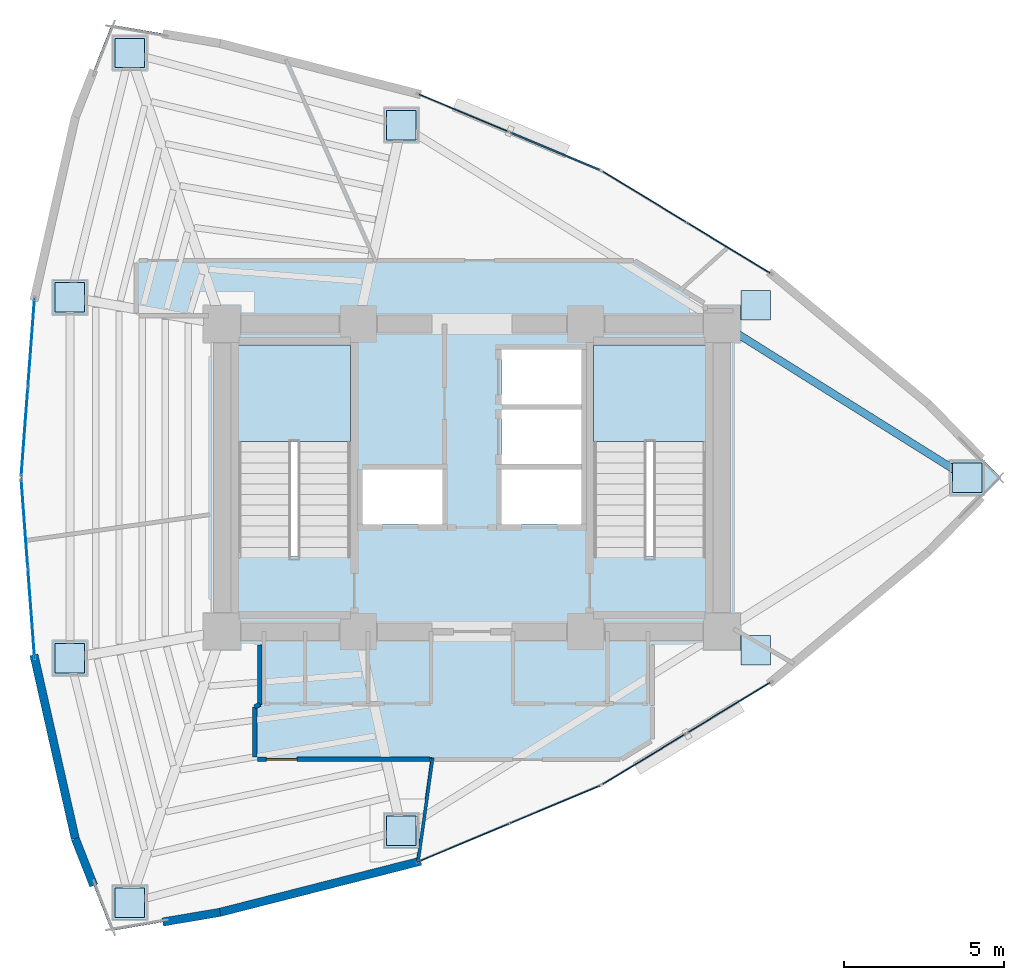
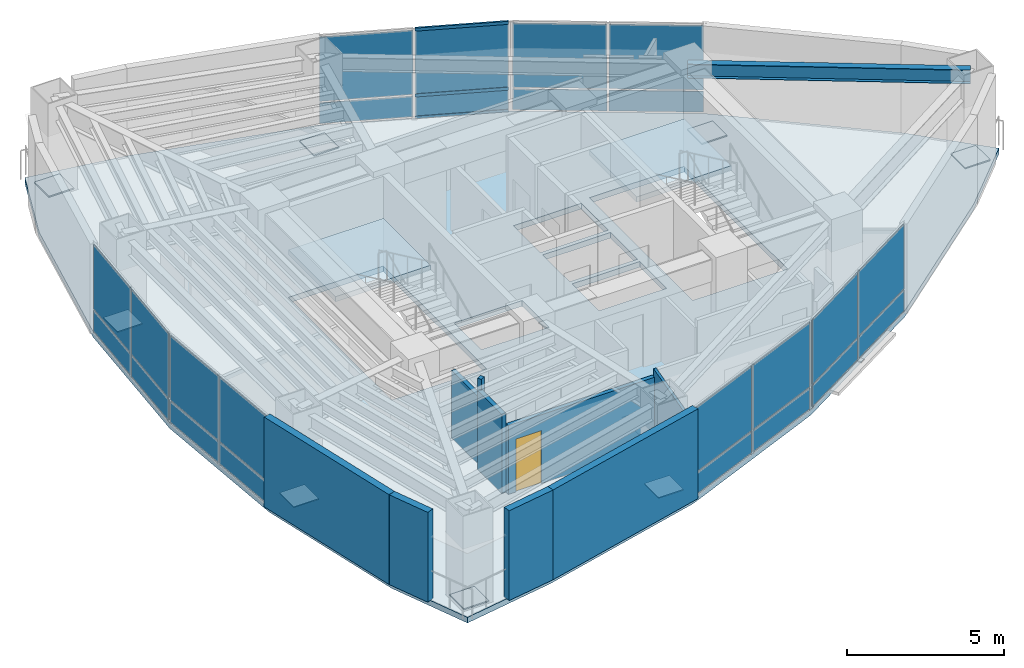
# One storey, part 10 of 15: 33 plates, 9 walls, 3 members, 3 slabs, 1 beam, 1 door, 1 opening, 8 elements without a shape of their own.
"""IFC4 building model written with IfcOpenShell, lengths in metres."""

from ifc_helpers import new_model, si_unit, direction, frame, frame_2d, origin, origin_2d, place, context, subcontext, project, spatial, polyline, rectangle, hollow_rectangle, i_section, outline, extrude, material, layer, layer_set, material_profile, profile_set, type_object, element, fill, aggregate, save


model = new_model("IFC4")

# Units and contexts
model_context = context("Model", 3, precision=1e-05, world=origin(), true_north=direction((0.0, 1.0)))
body_context = subcontext(model_context, "Body", "Model", "MODEL_VIEW")
ifc_project = project(units=[si_unit("LENGTHUNIT", "METRE"), si_unit("AREAUNIT", "SQUARE_METRE"), si_unit("VOLUMEUNIT", "CUBIC_METRE"), si_unit("PLANEANGLEUNIT", "RADIAN"), si_unit("MASSUNIT", "GRAM", prefix="KILO")], contexts=[model_context])

# Site, building, storey
site_placement = place(None, origin())
site = spatial("IfcSite", under=ifc_project, at=site_placement, CompositionType="ELEMENT")
building_placement = place(site_placement, origin())
building = spatial("IfcBuilding", under=site, at=building_placement, Name="Menara Vayukalpa", CompositionType="ELEMENT")
storey_placement = place(building_placement, frame((0.0, 0.0, 137.4599609375)))
storey = spatial("IfcBuildingStorey", under=building, at=storey_placement, Name="L34", CompositionType="ELEMENT", Elevation=137.4599609375)

# Beam
ifc_material_1 = material(Name="Steel S355", Category="steel")
ifc_material_profile_1 = material_profile(ifc_material_1, i_section(OverallWidth=0.239990234375, OverallDepth=0.550048828125, WebThickness=0.010986328125, FlangeThickness=0.01904296875, at=origin_2d()), Name="WF 550x240x11x19")
ifc_profile_set_1 = profile_set([ifc_material_profile_1], Name="Steel S355")
beam_type = type_object("IfcBeamType", Name="BM-SP2", PredefinedType="SPANDREL", material=ifc_profile_set_1)
beam_placement = place(storey_placement, frame((41.05908203125, 22.0, 3.22509765625), z_axis=(-0.847348220701, 0.531037656739, 0.0), x_axis=(-0.531037656739, -0.847348220701, 0.0)))
element("IfcBeam", 1, at=beam_placement, inside=storey, type_object=beam_type, Name="L34 Perimeter Spandrel Beam SP01", PredefinedType="SPANDREL", context=body_context, shape_type="SweptSolid", body=[
    extrude(i_section(OverallWidth=0.239990234375, OverallDepth=0.550048828125, WebThickness=0.010986328125, FlangeThickness=0.01904296875, at=origin_2d()), origin(), (0.0, 0.0, 1.0), 9.0390625),
])

# Curtain wall, members
ifc_material_2 = material(Name="Anodised Terracotta Aluminium Alloy 6063-T6", Category="masonry")
ifc_layer_1 = layer(ifc_material_2, 0.14990234375)
ifc_layer_set_1 = layer_set([ifc_layer_1], Name="Anodised Terracotta Aluminium Alloy 6063-T6")
curtain_wall_type = type_object("IfcCurtainWallType", Name="CW-CW3", PredefinedType="USERDEFINED", material=ifc_layer_set_1)
curtain_wall_1_placement = place(storey_placement, origin())
curtain_wall_1 = element("IfcCurtainWall", 2, at=curtain_wall_1_placement, inside=storey, type_object=curtain_wall_type, Name="L34 Mid Rise Terracotta Ribbon Curtain Wall CW3 05", ObjectType="UNITISED", PredefinedType="USERDEFINED")
ifc_material_3 = material(Name="Anodised Terracotta Aluminium Alloy 6063-T6", Category="masonry")
ifc_material_profile_2 = material_profile(ifc_material_3, hollow_rectangle(XDim=0.06494140625, YDim=0.1201171875, WallThickness=0.00341796875, at=origin_2d()), Name="ALU 65x120x3.5")
ifc_profile_set_2 = profile_set([ifc_material_profile_2], Name="Anodised Terracotta Aluminium Alloy 6063-T6")
member_type = type_object("IfcMemberType", Name="CWT-CW3", PredefinedType="USERDEFINED", material=ifc_profile_set_2)
member_1_placement = place(storey_placement, frame((29.57666015625, 31.615966796875, 0.032470703125), z_axis=(-0.922529540739, 0.385926478054, 0.0), x_axis=(-0.385926478054, -0.922529540739, 0.0)))
member_1 = element("IfcMember", 3, at=member_1_placement, type_object=member_type, Name="CW3 transom 1.1", ObjectType="TRANSOM", PredefinedType="USERDEFINED", context=body_context, shape_type="SweptSolid", body=[
    extrude(hollow_rectangle(XDim=0.06494140625, YDim=0.1201171875, WallThickness=0.00341796875, at=origin_2d()), origin(), (0.0, 0.0, 1.0), 3.013671875),
])
member_2_placement = place(storey_placement, frame((29.57666015625, 31.615966796875, 0.900146484375), z_axis=(-0.922529540739, 0.385926478054, 0.0), x_axis=(-0.385926478054, -0.922529540739, 0.0)))
member_2 = element("IfcMember", 4, at=member_2_placement, type_object=member_type, Name="CW3 transom 1.2", ObjectType="TRANSOM", PredefinedType="USERDEFINED", context=body_context, shape_type="SweptSolid", body=[
    extrude(hollow_rectangle(XDim=0.06494140625, YDim=0.1201171875, WallThickness=0.00341796875, at=origin_2d()), origin(), (0.0, 0.0, 1.0), 3.013671875),
])
member_3_placement = place(storey_placement, frame((29.57666015625, 31.615966796875, 3.467529296875), z_axis=(-0.922529540739, 0.385926478054, 0.0), x_axis=(-0.385926478054, -0.922529540739, 0.0)))
member_3 = element("IfcMember", 5, at=member_3_placement, type_object=member_type, Name="CW3 transom 1.3", ObjectType="TRANSOM", PredefinedType="USERDEFINED", context=body_context, shape_type="SweptSolid", body=[
    extrude(hollow_rectangle(XDim=0.06494140625, YDim=0.1201171875, WallThickness=0.00341796875, at=origin_2d()), origin(), (0.0, 0.0, 1.0), 3.013671875),
])

# Curtain wall, plates
curtain_wall_2_placement = place(storey_placement, origin())
curtain_wall_2 = element("IfcCurtainWall", 6, at=curtain_wall_2_placement, inside=storey, type_object=curtain_wall_type, Name="L34 Mid Rise Terracotta Ribbon Curtain Wall CW3 04", ObjectType="UNITISED", PredefinedType="USERDEFINED")
ifc_material_4 = material(Name="Low-E Double Glazing", Category="glass")
ifc_layer_2 = layer(ifc_material_4, 0.030029296875)
ifc_layer_set_2 = layer_set([ifc_layer_2], Name="Low-E Double Glazing")
plate_type_1 = type_object("IfcPlateType", Name="CWP-CW3", PredefinedType="CURTAIN_PANEL", material=ifc_layer_set_2)
plate_1_placement = place(storey_placement, frame((33.611328125, 29.176513671875, 0.06494140625), z_axis=(0.0, 0.0, 1.0), x_axis=(-0.854655342409, 0.519195768176, 0.0)))
plate_1 = element("IfcPlate", 7, at=plate_1_placement, type_object=plate_type_1, Name="CW3 panel 1.1", PredefinedType="CURTAIN_PANEL", context=body_context, shape_type="SweptSolid", body=[
    extrude(rectangle(XDim=3.013671875, YDim=0.030029296875, at=origin_2d()), origin(), (0.0, 0.0, 1.0), 0.802490234375),
])
plate_2_placement = place(storey_placement, frame((33.611328125, 29.176513671875, 0.9326171875), z_axis=(0.0, 0.0, 1.0), x_axis=(-0.854655342409, 0.519195768176, 0.0)))
plate_2 = element("IfcPlate", 8, at=plate_2_placement, type_object=plate_type_1, Name="CW3 panel 1.2", PredefinedType="CURTAIN_PANEL", context=body_context, shape_type="SweptSolid", body=[
    extrude(rectangle(XDim=3.013671875, YDim=0.030029296875, at=origin_2d()), origin(), (0.0, 0.0, 1.0), 2.50244140625),
])
plate_3_placement = place(storey_placement, frame((30.980224609375, 30.77490234375, 0.06494140625), z_axis=(0.0, 0.0, 1.0), x_axis=(-0.854655342409, 0.519195768176, 0.0)))
plate_3 = element("IfcPlate", 9, at=plate_3_placement, type_object=plate_type_1, Name="CW3 panel 2.1", PredefinedType="CURTAIN_PANEL", context=body_context, shape_type="SweptSolid", body=[
    extrude(rectangle(XDim=3.013671875, YDim=0.030029296875, at=origin_2d()), origin(), (0.0, 0.0, 1.0), 0.802490234375),
])
plate_4_placement = place(storey_placement, frame((30.980224609375, 30.77490234375, 0.9326171875), z_axis=(0.0, 0.0, 1.0), x_axis=(-0.854655342409, 0.519195768176, 0.0)))
plate_4 = element("IfcPlate", 10, at=plate_4_placement, type_object=plate_type_1, Name="CW3 panel 2.2", PredefinedType="CURTAIN_PANEL", context=body_context, shape_type="SweptSolid", body=[
    extrude(rectangle(XDim=3.013671875, YDim=0.030029296875, at=origin_2d()), origin(), (0.0, 0.0, 1.0), 2.50244140625),
])
aggregate(curtain_wall_2, [plate_1, plate_2, plate_3, plate_4])

# Plate
plate_5_placement = place(storey_placement, frame((28.1865234375, 32.197509765625, 0.06494140625), z_axis=(0.0, 0.0, 1.0), x_axis=(-0.922546385056, 0.385886210456, 0.0)))
plate_5 = element("IfcPlate", 11, at=plate_5_placement, type_object=plate_type_1, Name="CW3 panel 1.1", PredefinedType="CURTAIN_PANEL", context=body_context, shape_type="SweptSolid", body=[
    extrude(rectangle(XDim=3.013671875, YDim=0.030029296875, at=origin_2d()), origin(), (0.0, 0.0, 1.0), 0.802490234375),
])

plate_6_placement = place(storey_placement, frame((28.1865234375, 32.197509765625, 0.9326171875), z_axis=(0.0, 0.0, 1.0), x_axis=(-0.922546385056, 0.385886210456, 0.0)))
plate_6 = element("IfcPlate", 12, at=plate_6_placement, type_object=plate_type_1, Name="CW3 panel 1.2", PredefinedType="CURTAIN_PANEL", context=body_context, shape_type="SweptSolid", body=[
    extrude(rectangle(XDim=3.013671875, YDim=0.030029296875, at=origin_2d()), origin(), (0.0, 0.0, 1.0), 2.50244140625),
])

plate_7_placement = place(storey_placement, frame((25.34619140625, 33.3857421875, 0.06494140625), z_axis=(0.0, 0.0, 1.0), x_axis=(-0.922546385056, 0.385886210456, 0.0)))
plate_7 = element("IfcPlate", 13, at=plate_7_placement, type_object=plate_type_1, Name="CW3 panel 2.1", PredefinedType="CURTAIN_PANEL", context=body_context, shape_type="SweptSolid", body=[
    extrude(rectangle(XDim=3.013671875, YDim=0.030029296875, at=origin_2d()), origin(), (0.0, 0.0, 1.0), 0.802490234375),
])

plate_8_placement = place(storey_placement, frame((25.34619140625, 33.3857421875, 0.9326171875), z_axis=(0.0, 0.0, 1.0), x_axis=(-0.922546385056, 0.385886210456, 0.0)))
plate_8 = element("IfcPlate", 14, at=plate_8_placement, type_object=plate_type_1, Name="CW3 panel 2.2", PredefinedType="CURTAIN_PANEL", context=body_context, shape_type="SweptSolid", body=[
    extrude(rectangle(XDim=3.013671875, YDim=0.030029296875, at=origin_2d()), origin(), (0.0, 0.0, 1.0), 2.50244140625),
])

aggregate(curtain_wall_1, [member_1, member_2, member_3, plate_5, plate_6, plate_7, plate_8])

# Curtain wall, plates
curtain_wall_3_placement = place(storey_placement, origin())
curtain_wall_3 = element("IfcCurtainWall", 15, at=curtain_wall_3_placement, inside=storey, type_object=curtain_wall_type, Name="L34 Mid Rise Terracotta Ribbon Curtain Wall CW3 10", ObjectType="UNITISED", PredefinedType="USERDEFINED")
plate_9_placement = place(storey_placement, frame((11.84228515625, 26.207763671875, 0.06494140625), z_axis=(0.0, 0.0, 1.0), x_axis=(-0.074792589364, -0.997199111801, 0.0)))
plate_9 = element("IfcPlate", 16, at=plate_9_placement, type_object=plate_type_1, Name="CW3 panel 1.1", PredefinedType="CURTAIN_PANEL", context=body_context, shape_type="SweptSolid", body=[
    extrude(rectangle(XDim=2.726318359375, YDim=0.030029296875, at=origin_2d()), origin(), (0.0, 0.0, 1.0), 0.802490234375),
])
plate_10_placement = place(storey_placement, frame((11.84228515625, 26.207763671875, 0.9326171875), z_axis=(0.0, 0.0, 1.0), x_axis=(-0.074792589364, -0.997199111801, 0.0)))
plate_10 = element("IfcPlate", 17, at=plate_10_placement, type_object=plate_type_1, Name="CW3 panel 1.2", PredefinedType="CURTAIN_PANEL", context=body_context, shape_type="SweptSolid", body=[
    extrude(rectangle(XDim=2.726318359375, YDim=0.030029296875, at=origin_2d()), origin(), (0.0, 0.0, 1.0), 2.50244140625),
])
plate_11_placement = place(storey_placement, frame((11.633544921875, 23.424072265625, 0.06494140625), z_axis=(0.0, 0.0, 1.0), x_axis=(-0.074792589364, -0.997199111801, 0.0)))
plate_11 = element("IfcPlate", 18, at=plate_11_placement, type_object=plate_type_1, Name="CW3 panel 2.1", PredefinedType="CURTAIN_PANEL", context=body_context, shape_type="SweptSolid", body=[
    extrude(rectangle(XDim=2.726318359375, YDim=0.030029296875, at=origin_2d()), origin(), (0.0, 0.0, 1.0), 0.802490234375),
])
plate_12_placement = place(storey_placement, frame((11.633544921875, 23.424072265625, 0.9326171875), z_axis=(0.0, 0.0, 1.0), x_axis=(-0.074792589364, -0.997199111801, 0.0)))
plate_12 = element("IfcPlate", 19, at=plate_12_placement, type_object=plate_type_1, Name="CW3 panel 2.2", PredefinedType="CURTAIN_PANEL", context=body_context, shape_type="SweptSolid", body=[
    extrude(rectangle(XDim=2.726318359375, YDim=0.030029296875, at=origin_2d()), origin(), (0.0, 0.0, 1.0), 2.50244140625),
])
aggregate(curtain_wall_3, [plate_9, plate_10, plate_11, plate_12])

curtain_wall_4_placement = place(storey_placement, origin())
curtain_wall_4 = element("IfcCurtainWall", 20, at=curtain_wall_4_placement, inside=storey, type_object=curtain_wall_type, Name="L34 Mid Rise Terracotta Ribbon Curtain Wall CW3 11", ObjectType="UNITISED", PredefinedType="USERDEFINED")
plate_13_placement = place(storey_placement, frame((11.633544921875, 20.575927734375, 0.06494140625), z_axis=(0.0, 0.0, 1.0), x_axis=(0.074792589364, -0.997199111801, 0.0)))
plate_13 = element("IfcPlate", 21, at=plate_13_placement, type_object=plate_type_1, Name="CW3 panel 1.1", PredefinedType="CURTAIN_PANEL", context=body_context, shape_type="SweptSolid", body=[
    extrude(rectangle(XDim=2.726318359375, YDim=0.030029296875, at=origin_2d()), origin(), (0.0, 0.0, 1.0), 0.802490234375),
])
plate_14_placement = place(storey_placement, frame((11.633544921875, 20.575927734375, 0.9326171875), z_axis=(0.0, 0.0, 1.0), x_axis=(0.074792589364, -0.997199111801, 0.0)))
plate_14 = element("IfcPlate", 22, at=plate_14_placement, type_object=plate_type_1, Name="CW3 panel 1.2", PredefinedType="CURTAIN_PANEL", context=body_context, shape_type="SweptSolid", body=[
    extrude(rectangle(XDim=2.726318359375, YDim=0.030029296875, at=origin_2d()), origin(), (0.0, 0.0, 1.0), 2.50244140625),
])
plate_15_placement = place(storey_placement, frame((11.84228515625, 17.792236328125, 0.06494140625), z_axis=(0.0, 0.0, 1.0), x_axis=(0.074792589364, -0.997199111801, 0.0)))
plate_15 = element("IfcPlate", 23, at=plate_15_placement, type_object=plate_type_1, Name="CW3 panel 2.1", PredefinedType="CURTAIN_PANEL", context=body_context, shape_type="SweptSolid", body=[
    extrude(rectangle(XDim=2.726318359375, YDim=0.030029296875, at=origin_2d()), origin(), (0.0, 0.0, 1.0), 0.802490234375),
])
plate_16_placement = place(storey_placement, frame((11.84228515625, 17.792236328125, 0.9326171875), z_axis=(0.0, 0.0, 1.0), x_axis=(0.074792589364, -0.997199111801, 0.0)))
plate_16 = element("IfcPlate", 24, at=plate_16_placement, type_object=plate_type_1, Name="CW3 panel 2.2", PredefinedType="CURTAIN_PANEL", context=body_context, shape_type="SweptSolid", body=[
    extrude(rectangle(XDim=2.726318359375, YDim=0.030029296875, at=origin_2d()), origin(), (0.0, 0.0, 1.0), 2.50244140625),
])
aggregate(curtain_wall_4, [plate_13, plate_14, plate_15, plate_16])

curtain_wall_5_placement = place(storey_placement, origin())
curtain_wall_5 = element("IfcCurtainWall", 25, at=curtain_wall_5_placement, inside=storey, type_object=curtain_wall_type, Name="L34 Mid Rise Terracotta Ribbon Curtain Wall CW3 16", ObjectType="UNITISED", PredefinedType="USERDEFINED")
plate_17_placement = place(storey_placement, frame((25.34619140625, 10.6142578125, 0.06494140625), z_axis=(0.0, 0.0, 1.0), x_axis=(0.922546385056, 0.385886210456, 0.0)))
plate_17 = element("IfcPlate", 26, at=plate_17_placement, type_object=plate_type_1, Name="CW3 panel 1.1", PredefinedType="CURTAIN_PANEL", context=body_context, shape_type="SweptSolid", body=[
    extrude(rectangle(XDim=3.013671875, YDim=0.030029296875, at=origin_2d()), origin(), (0.0, 0.0, 1.0), 0.802490234375),
])
plate_18_placement = place(storey_placement, frame((25.34619140625, 10.6142578125, 0.9326171875), z_axis=(0.0, 0.0, 1.0), x_axis=(0.922546385056, 0.385886210456, 0.0)))
plate_18 = element("IfcPlate", 27, at=plate_18_placement, type_object=plate_type_1, Name="CW3 panel 1.2", PredefinedType="CURTAIN_PANEL", context=body_context, shape_type="SweptSolid", body=[
    extrude(rectangle(XDim=3.013671875, YDim=0.030029296875, at=origin_2d()), origin(), (0.0, 0.0, 1.0), 2.50244140625),
])
plate_19_placement = place(storey_placement, frame((28.1865234375, 11.802490234375, 0.06494140625), z_axis=(0.0, 0.0, 1.0), x_axis=(0.922546385056, 0.385886210456, 0.0)))
plate_19 = element("IfcPlate", 28, at=plate_19_placement, type_object=plate_type_1, Name="CW3 panel 2.1", PredefinedType="CURTAIN_PANEL", context=body_context, shape_type="SweptSolid", body=[
    extrude(rectangle(XDim=3.013671875, YDim=0.030029296875, at=origin_2d()), origin(), (0.0, 0.0, 1.0), 0.802490234375),
])
plate_20_placement = place(storey_placement, frame((28.1865234375, 11.802490234375, 0.9326171875), z_axis=(0.0, 0.0, 1.0), x_axis=(0.922546385056, 0.385886210456, 0.0)))
plate_20 = element("IfcPlate", 29, at=plate_20_placement, type_object=plate_type_1, Name="CW3 panel 2.2", PredefinedType="CURTAIN_PANEL", context=body_context, shape_type="SweptSolid", body=[
    extrude(rectangle(XDim=3.013671875, YDim=0.030029296875, at=origin_2d()), origin(), (0.0, 0.0, 1.0), 2.50244140625),
])
aggregate(curtain_wall_5, [plate_17, plate_18, plate_19, plate_20])

curtain_wall_6_placement = place(storey_placement, origin())
curtain_wall_6 = element("IfcCurtainWall", 30, at=curtain_wall_6_placement, inside=storey, type_object=curtain_wall_type, Name="L34 Mid Rise Terracotta Ribbon Curtain Wall CW3 17", ObjectType="UNITISED", PredefinedType="USERDEFINED")
plate_21_placement = place(storey_placement, frame((30.980224609375, 13.22509765625, 0.06494140625), z_axis=(0.0, 0.0, 1.0), x_axis=(0.854655342409, 0.519195768176, 0.0)))
plate_21 = element("IfcPlate", 31, at=plate_21_placement, type_object=plate_type_1, Name="CW3 panel 1.1", PredefinedType="CURTAIN_PANEL", context=body_context, shape_type="SweptSolid", body=[
    extrude(rectangle(XDim=3.013671875, YDim=0.030029296875, at=origin_2d()), origin(), (0.0, 0.0, 1.0), 0.802490234375),
])
plate_22_placement = place(storey_placement, frame((30.980224609375, 13.22509765625, 0.9326171875), z_axis=(0.0, 0.0, 1.0), x_axis=(0.854655342409, 0.519195768176, 0.0)))
plate_22 = element("IfcPlate", 32, at=plate_22_placement, type_object=plate_type_1, Name="CW3 panel 1.2", PredefinedType="CURTAIN_PANEL", context=body_context, shape_type="SweptSolid", body=[
    extrude(rectangle(XDim=3.013671875, YDim=0.030029296875, at=origin_2d()), origin(), (0.0, 0.0, 1.0), 2.50244140625),
])
plate_23_placement = place(storey_placement, frame((33.611328125, 14.823486328125, 0.06494140625), z_axis=(0.0, 0.0, 1.0), x_axis=(0.854655342409, 0.519195768176, 0.0)))
plate_23 = element("IfcPlate", 33, at=plate_23_placement, type_object=plate_type_1, Name="CW3 panel 2.1", PredefinedType="CURTAIN_PANEL", context=body_context, shape_type="SweptSolid", body=[
    extrude(rectangle(XDim=3.013671875, YDim=0.030029296875, at=origin_2d()), origin(), (0.0, 0.0, 1.0), 0.802490234375),
])
plate_24_placement = place(storey_placement, frame((33.611328125, 14.823486328125, 0.9326171875), z_axis=(0.0, 0.0, 1.0), x_axis=(0.854655342409, 0.519195768176, 0.0)))
plate_24 = element("IfcPlate", 34, at=plate_24_placement, type_object=plate_type_1, Name="CW3 panel 2.2", PredefinedType="CURTAIN_PANEL", context=body_context, shape_type="SweptSolid", body=[
    extrude(rectangle(XDim=3.013671875, YDim=0.030029296875, at=origin_2d()), origin(), (0.0, 0.0, 1.0), 2.50244140625),
])
aggregate(curtain_wall_6, [plate_21, plate_22, plate_23, plate_24])

# Plates
ifc_material_5 = material(Name="Steel S355", Category="steel")
ifc_layer_3 = layer(ifc_material_5, 0.0419921875)
ifc_layer_set_3 = layer_set([ifc_layer_3], Name="Steel S355")
plate_type_2 = type_object("IfcPlateType", Name="PLT-SP1", PredefinedType="USERDEFINED", material=ifc_layer_set_3)
for number, where, z_axis, x_axis, name in (
    (35, (41.05908203125, 22.0, 0.0), (0.0, 0.0, 1.0), (1.0, 0.0, 0.0), "L34 Mega Column Tier Splice Plate 01"),
    (36, (34.45556640625, 27.380126953125, 0.0), (0.0, 0.0, 1.0), (1.0, 0.0, 0.0), "L34 Mega Column Tier Splice Plate 02"),
    (37, (23.39697265625, 33.011962890625, 0.0), (0.0, 0.0, 1.0), (1.0, 0.0, 0.0), "L34 Mega Column Tier Splice Plate 03"),
    (38, (14.92041015625, 35.260498046875, 0.0), (0.0, 0.0, 1.0), (1.0, 0.0, 0.0), "L34 Mega Column Tier Splice Plate 04"),
    (39, (13.049072265625, 27.6318359375, 0.0), (0.0, 0.0, 1.0), (1.0, 0.0, 0.0), "L34 Mega Column Tier Splice Plate 05"),
    (40, (13.049072265625, 16.3681640625, 0.0), (0.0, 0.0, 1.0), (1.0, 0.0, 0.0), "L34 Mega Column Tier Splice Plate 06"),
    (41, (14.92041015625, 8.739501953125, 0.0), (0.0, 0.0, 1.0), (1.0, 0.0, 0.0), "L34 Mega Column Tier Splice Plate 07"),
    (42, (23.39697265625, 10.988037109375, 0.0), (0.0, 0.0, 1.0), (1.0, 0.0, 0.0), "L34 Mega Column Tier Splice Plate 08"),
    (43, (34.45556640625, 16.619873046875, 0.0), (0.0, 0.0, 1.0), (1.0, 0.0, 0.0), "L34 Mega Column Tier Splice Plate 09"),
):
    element("IfcPlate", number, at=place(storey_placement, frame(where, z_axis=z_axis, x_axis=x_axis)), inside=storey, type_object=plate_type_2, Name=name, ObjectType="SPLICE_PLATE", PredefinedType="USERDEFINED", context=body_context, shape_type="SweptSolid", body=[
        extrude(rectangle(XDim=0.919921875, YDim=0.919921875, at=origin_2d()), origin(), (0.0, 0.0, 1.0), 0.0419921875),
    ])

# Slab
ifc_material_6 = material(Name="Concrete C40/50", Category="concrete")
ifc_layer_4 = layer(ifc_material_6, 0.219970703125)
ifc_layer_set_4 = layer_set([ifc_layer_4], Name="Concrete C40/50")
slab_type_1 = type_object("IfcSlabType", Name="SLB-FL220", PredefinedType="FLOOR", material=ifc_layer_set_4)
slab_1_placement = place(storey_placement, frame((0.0, 0.0, -0.219970703125)))
element("IfcSlab", 44, at=slab_1_placement, inside=storey, type_object=slab_type_1, Name="L34 Structural Floor Slab", PredefinedType="FLOOR", context=body_context, shape_type="SweptSolid", body=[
    extrude(outline(polyline([(39.8505859375, 19.69970703125), (42.109130859375, 22.0), (39.8505859375, 24.30029296875), (34.954833984375, 28.3603515625), (29.63671875, 31.591064453125), (23.89599609375, 33.9921875), (17.733154296875, 35.56396484375), (14.345458984375, 36.13916015625), (13.21630859375, 33.263671875), (11.94921875, 27.6318359375), (11.526611328125, 22.0), (11.94921875, 16.3681640625), (13.21630859375, 10.736328125), (14.345458984375, 7.86083984375), (17.733154296875, 8.43603515625), (23.89599609375, 10.0078125), (29.63671875, 12.408935546875), (34.954833984375, 15.6396484375), (39.8505859375, 19.69970703125)]), holes=[polyline([(21.800048828125, 19.550048828125), (21.800048828125, 26.14990234375), (18.300048828125, 26.14990234375), (18.300048828125, 19.550048828125), (21.800048828125, 19.550048828125)]), polyline([(32.89990234375, 19.550048828125), (32.89990234375, 26.14990234375), (29.39990234375, 26.14990234375), (29.39990234375, 19.550048828125), (32.89990234375, 19.550048828125)]), polyline([(22.179931640625, 20.550048828125), (24.679931640625, 20.550048828125), (24.679931640625, 22.27001953125), (22.179931640625, 22.27001953125), (22.179931640625, 20.550048828125)]), polyline([(26.52001953125, 20.550048828125), (29.02001953125, 20.550048828125), (29.02001953125, 22.27001953125), (26.52001953125, 22.27001953125), (26.52001953125, 20.550048828125)]), polyline([(26.52001953125, 24.2900390625), (29.02001953125, 24.2900390625), (29.02001953125, 26.010009765625), (26.52001953125, 26.010009765625), (26.52001953125, 24.2900390625)]), polyline([(26.52001953125, 22.419921875), (29.02001953125, 22.419921875), (29.02001953125, 24.139892578125), (26.52001953125, 24.139892578125), (26.52001953125, 22.419921875)])]), origin(), (0.0, 0.0, 1.0), 0.219970703125),
])

# Stair, slab
ifc_material_7 = material(Name="Precast Concrete C40/50", Category="concrete")
stair_type = type_object("IfcStairType", Name="STR-T04", PredefinedType="DOUBLE_RETURN_STAIR", material=ifc_material_7)
stair_1_placement = place(storey_placement, origin())
stair_1 = element("IfcStair", 45, at=stair_1_placement, inside=storey, type_object=stair_type, Name="L34 Core Exit Stair ST-1", PredefinedType="DOUBLE_RETURN_STAIR")
ifc_material_8 = material(Name="Precast Concrete C40/50", Category="concrete")
ifc_layer_5 = layer(ifc_material_8, 0.199951171875)
ifc_layer_set_5 = layer_set([ifc_layer_5], Name="Precast Concrete C40/50")
slab_type_2 = type_object("IfcSlabType", Name="SLB-LND200", PredefinedType="LANDING", material=ifc_layer_set_5)
slab_2_placement = place(storey_placement, frame((0.0, 0.0, 1.66015625)))
slab_2 = element("IfcSlab", 46, at=slab_2_placement, type_object=slab_type_2, Name="ST-1 landing 1", PredefinedType="LANDING", context=body_context, shape_type="SweptSolid", body=[
    extrude(outline(polyline([(21.800048828125, 23.1298828125), (21.800048828125, 26.14990234375), (18.300048828125, 26.14990234375), (18.300048828125, 23.1298828125), (21.800048828125, 23.1298828125)])), origin(), (0.0, 0.0, 1.0), 0.199951171875),
])
aggregate(stair_1, [slab_2])

stair_2_placement = place(storey_placement, origin())
stair_2 = element("IfcStair", 47, at=stair_2_placement, inside=storey, type_object=stair_type, Name="L34 Core Exit Stair ST-2", PredefinedType="DOUBLE_RETURN_STAIR")
slab_3_placement = place(storey_placement, frame((0.0, 0.0, 1.66015625)))
slab_3 = element("IfcSlab", 48, at=slab_3_placement, type_object=slab_type_2, Name="ST-2 landing 1", PredefinedType="LANDING", context=body_context, shape_type="SweptSolid", body=[
    extrude(outline(polyline([(32.89990234375, 23.1298828125), (32.89990234375, 26.14990234375), (29.39990234375, 26.14990234375), (29.39990234375, 23.1298828125), (32.89990234375, 23.1298828125)])), origin(), (0.0, 0.0, 1.0), 0.199951171875),
])
aggregate(stair_2, [slab_3])

# Walls
ifc_material_9 = material(Name="Insulated Precast Concrete C40/50", Category="concrete")
ifc_layer_6 = layer(ifc_material_9, 0.260009765625)
ifc_layer_set_6 = layer_set([ifc_layer_6], Name="Insulated Precast Concrete C40/50")
wall_type_1 = type_object("IfcWallType", Name="WAL-EXT260", PredefinedType="PARTITIONING", material=ifc_layer_set_6)
wall_1_placement = place(storey_placement, frame((13.21630859375, 10.736328125, 0.0), z_axis=(0.0, 0.0, 1.0), x_axis=(-0.219500344647, 0.975612422379, 0.0)))
element("IfcWall", 49, at=wall_1_placement, inside=storey, type_object=wall_type_1, Name="L34 Perimeter Terracotta Pier Wall 12", PredefinedType="PARTITIONING", context=body_context, shape_type="SweptSolid", body=[
    extrude(rectangle(XDim=5.8828125, YDim=0.260009765625, at=frame_2d((2.94140625, 0.0))), origin(), (0.0, 0.0, 1.0), 3.5),
])
wall_2_placement = place(storey_placement, frame((13.790771484375, 9.2734375, 0.0), z_axis=(0.0, 0.0, 1.0), x_axis=(-0.365517796794, 0.930804351207, 0.0)))
element("IfcWall", 50, at=wall_2_placement, inside=storey, type_object=wall_type_1, Name="L34 Perimeter Terracotta Pier Wall 13", PredefinedType="PARTITIONING", context=body_context, shape_type="SweptSolid", body=[
    extrude(rectangle(XDim=1.571533203125, YDim=0.260009765625, at=frame_2d((0.78564453125, 0.0))), origin(), (0.0, 0.0, 1.0), 3.5),
])
wall_3_placement = place(storey_placement, frame((17.739013671875, 8.43701171875, 0.0), z_axis=(0.0, 0.0, 1.0), x_axis=(-0.985903286971, -0.167316193894, 0.0)))
element("IfcWall", 51, at=wall_3_placement, inside=storey, type_object=wall_type_1, Name="L34 Perimeter Terracotta Pier Wall 14", PredefinedType="PARTITIONING", context=body_context, shape_type="SweptSolid", body=[
    extrude(rectangle(XDim=1.818115234375, YDim=0.260009765625, at=frame_2d((0.9091796875, 0.0))), origin(), (0.0, 0.0, 1.0), 3.5),
])
wall_4_placement = place(storey_placement, frame((24.002685546875, 10.034912109375, 0.0), z_axis=(0.0, 0.0, 1.0), x_axis=(-0.968987460493, -0.24710989743, 0.0)))
element("IfcWall", 52, at=wall_4_placement, inside=storey, type_object=wall_type_1, Name="L34 Perimeter Terracotta Pier Wall 15", PredefinedType="PARTITIONING", context=body_context, shape_type="SweptSolid", body=[
    extrude(rectangle(XDim=6.476318359375, YDim=0.260009765625, at=frame_2d((3.23828125, 0.0))), origin(), (0.0, 0.0, 1.0), 3.5),
])
ifc_material_10 = material(Name="Glazed Demountable Office Partition", Category="glass")
ifc_layer_7 = layer(ifc_material_10, 0.094970703125)
ifc_layer_set_7 = layer_set([ifc_layer_7], Name="Glazed Demountable Office Partition")
wall_type_2 = type_object("IfcWallType", Name="WAL-PT100", PredefinedType="PARTITIONING", material=ifc_layer_set_7)
wall_5_placement = place(storey_placement, frame((24.37158203125, 13.260009765625, 0.0), z_axis=(0.0, 0.0, 1.0), x_axis=(-0.139164942591, -0.990269215291, 0.0)))
element("IfcWall", 53, at=wall_5_placement, inside=storey, type_object=wall_type_2, Name="L34 Interior Partition IW-L34-RDIV04", PredefinedType="PARTITIONING", context=body_context, shape_type="SweptSolid", body=[
    extrude(rectangle(XDim=3.28759765625, YDim=0.094970703125, at=frame_2d((1.643798828125, 0.0))), origin(), (0.0, 0.0, 1.0), 2.929931640625),
])
ifc_material_11 = material(Name="Gypsum Drywall Acoustic Stud Assembly", Category="masonry")
ifc_layer_8 = layer(ifc_material_11, 0.14501953125)
ifc_layer_set_8 = layer_set([ifc_layer_8], Name="Gypsum Drywall Acoustic Stud Assembly")
wall_type_3 = type_object("IfcWallType", Name="WAL-PT150", PredefinedType="PARTITIONING", material=ifc_layer_set_8)
wall_6_placement = place(storey_placement, frame((18.97998046875, 16.780029296875, 0.0), z_axis=(0.0, 0.0, 1.0), x_axis=(0.0, -1.0, 0.0)))
element("IfcWall", 54, at=wall_6_placement, inside=storey, type_object=wall_type_3, Name="L34 Interior Partition IW-L34-CRM01-1", PredefinedType="PARTITIONING", context=body_context, shape_type="SweptSolid", body=[
    extrude(rectangle(XDim=1.85009765625, YDim=0.14501953125, at=frame_2d((0.925048828125, 0.0))), origin(), (0.0, 0.0, 1.0), 2.630126953125),
])
wall_7_placement = place(storey_placement, frame((18.820068359375, 14.85009765625, 0.0), z_axis=(0.0, 0.0, 1.0), x_axis=(0.0, -1.0, 0.0)))
element("IfcWall", 55, at=wall_7_placement, inside=storey, type_object=wall_type_3, Name="L34 Interior Partition IW-L34-CRM01-2", PredefinedType="PARTITIONING", context=body_context, shape_type="SweptSolid", body=[
    extrude(rectangle(XDim=1.56005859375, YDim=0.14501953125, at=frame_2d((0.780029296875, 0.0))), origin(), (0.0, 0.0, 1.0), 3.080078125),
])

# Wall, opening, door
wall_8_placement = place(storey_placement, frame((18.89990234375, 13.2099609375, 0.0), z_axis=(0.0, 0.0, 1.0), x_axis=(1.0, 0.0, 0.0)))
wall_8 = element("IfcWall", 56, at=wall_8_placement, inside=storey, type_object=wall_type_3, Name="L34 Interior Partition IW-L34-CRM01-3", PredefinedType="PARTITIONING", context=body_context, shape_type="SweptSolid", body=[
    extrude(rectangle(XDim=5.39404296875, YDim=0.14501953125, at=frame_2d((2.697021484375, 0.0))), origin(), (0.0, 0.0, 1.0), 2.679931640625),
])
opening_placement = place(wall_8_placement, frame((0.280029296875, 0.0, 0.0)))
opening = element("IfcOpeningElement", 57, at=opening_placement, cuts=wall_8, Name="Opening ID5", PredefinedType="OPENING", context=body_context, shape_type="SweptSolid", body=[
    extrude(rectangle(XDim=0.949951171875, YDim=2.06005859375, at=frame_2d((0.47509765625, 1.030029296875))), frame((0.0, 0.08251953125, 0.0), z_axis=(0.0, -1.0, 0.0), x_axis=(1.0, 0.0, 0.0)), (0.0, 0.0, 1.0), 0.1650390625),
])
ifc_material_12 = material(Name="Acoustic Hardwood Veneer Timber Door", Category="wood")
door_type = type_object("IfcDoorType", Name="DR-INT95", OperationType="NOTDEFINED", PredefinedType="DOOR", material=ifc_material_12)
door_placement = place(opening_placement, origin())
door = element("IfcDoor", 58, at=door_placement, inside=storey, type_object=door_type, Name="L34 Interior Door DR-L34-RM01", OperationType="SINGLE_SWING_LEFT", OverallHeight=2.06005859375, OverallWidth=0.949951171875, PredefinedType="DOOR", context=body_context, shape_type="SweptSolid", body=[
    extrude(rectangle(XDim=0.949951171875, YDim=2.06005859375, at=frame_2d((0.47509765625, 1.030029296875))), frame((0.0, 0.02490234375, 0.0), z_axis=(0.0, -1.0, 0.0), x_axis=(1.0, 0.0, 0.0)), (0.0, 0.0, 1.0), 0.050048828125),
])
fill(opening, door)

# Wall
wall_9_placement = place(storey_placement, frame((18.820068359375, 14.85009765625, 0.0), z_axis=(0.0, 0.0, 1.0), x_axis=(0.89470021502, 0.446667130247, 0.0)))
element("IfcWall", 59, at=wall_9_placement, inside=storey, type_object=wall_type_3, Name="L34 Interior Partition IW-L34-CRM01-2-R0", PredefinedType="PARTITIONING", context=body_context, shape_type="SweptSolid", body=[
    extrude(rectangle(XDim=0.1787109375, YDim=0.14501953125, at=frame_2d((0.08935546875, 0.0))), origin(), (0.0, 0.0, 1.0), 3.5),
])

save(model, "model.ifc")
